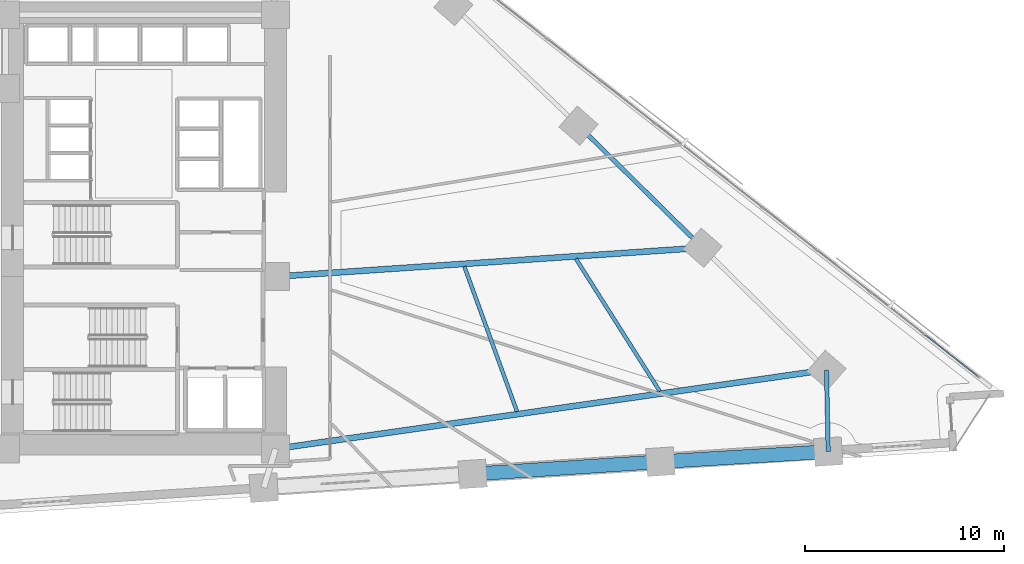
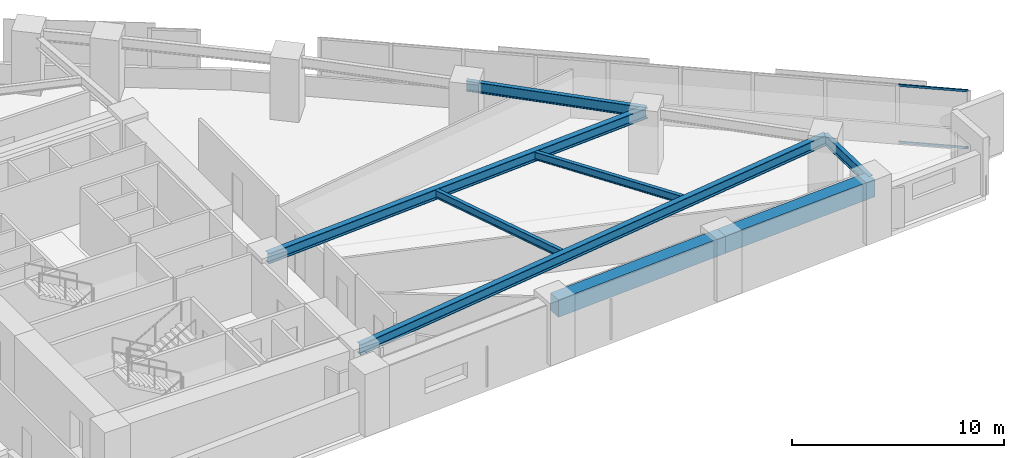
# One storey, part 3 of 15: 8 beams, 2 members, 1 element without a shape of its own.
"""IFC4 building model written with IfcOpenShell, lengths in metres."""

from ifc_helpers import new_model, si_unit, direction, frame, origin, origin_2d, place, context, subcontext, project, spatial, rectangle, hollow_rectangle, i_section, extrude, material, material_profile, profile_set, type_object, element, aggregate, save


model = new_model("IFC4")

# Units and contexts
model_context = context("Model", 3, precision=1e-05, world=origin(), true_north=direction((0.0, 1.0)))
body_context = subcontext(model_context, "Body", "Model", "MODEL_VIEW")
ifc_project = project(units=[si_unit("LENGTHUNIT", "METRE"), si_unit("AREAUNIT", "SQUARE_METRE"), si_unit("VOLUMEUNIT", "CUBIC_METRE"), si_unit("PLANEANGLEUNIT", "RADIAN"), si_unit("MASSUNIT", "GRAM", prefix="KILO")], contexts=[model_context])

# Site, building, storey
site_placement = place(None, origin())
site = spatial("IfcSite", under=ifc_project, at=site_placement, CompositionType="ELEMENT")
building_placement = place(site_placement, origin())
building = spatial("IfcBuilding", under=site, at=building_placement, Name="Narakoshi Arena Tower", CompositionType="ELEMENT")
storey_placement = place(building_placement, frame((0.0, 0.0, 70.5)))
storey = spatial("IfcBuildingStorey", under=building, at=storey_placement, Name="L18", CompositionType="ELEMENT", Elevation=70.5)

# Beams
ifc_material_1 = material(Name="Concrete C60/75", Category="concrete")
ifc_material_profile_1 = material_profile(ifc_material_1, rectangle(XDim=0.699951171875, YDim=1.0, at=origin_2d()), Name="RCB700x1000")
ifc_profile_set_1 = profile_set([ifc_material_profile_1], Name="Concrete C60/75")
beam_type_1 = type_object("IfcBeamType", Name="BM-CPL-1000", PredefinedType="BEAM", material=ifc_profile_set_1)
beam_1_placement = place(storey_placement, frame((95.44189453125, 33.43798828125, 2.840087890625), z_axis=(0.997857667494, 0.065422285367, 0.0), x_axis=(-0.065422285367, 0.997857667494, 0.0)))
element("IfcBeam", 1, at=beam_1_placement, inside=storey, type_object=beam_type_1, Name="L18 Perimeter Edge Girder 02", PredefinedType="BEAM", context=body_context, shape_type="SweptSolid", body=[
    extrude(rectangle(XDim=0.699951171875, YDim=1.0, at=origin_2d()), origin(), (0.0, 0.0, 1.0), 9.456298828125),
])
beam_2_placement = place(storey_placement, frame((104.8779296875, 34.056640625, 2.840087890625), z_axis=(0.998193929855, 0.060073941104, 0.0), x_axis=(-0.060073941104, 0.998193929855, 0.0)))
element("IfcBeam", 2, at=beam_2_placement, inside=storey, type_object=beam_type_1, Name="L18 Perimeter Edge Girder 03", PredefinedType="BEAM", context=body_context, shape_type="SweptSolid", body=[
    extrude(rectangle(XDim=0.699951171875, YDim=1.0, at=origin_2d()), origin(), (0.0, 0.0, 1.0), 8.436767578125),
])
ifc_material_2 = material(Name="Structural steel S355J2", Category="steel")
ifc_material_profile_2 = material_profile(ifc_material_2, i_section(OverallWidth=0.219970703125, OverallDepth=0.60009765625, WebThickness=0.011962890625, FlangeThickness=0.01904296875, FilletRadius=0.02392578125, at=origin_2d()), Name="IPE600")
ifc_profile_set_2 = profile_set([ifc_material_profile_2], Name="Structural steel S355J2")
beam_type_2 = type_object("IfcBeamType", Name="BM-EDGE-600", PredefinedType="BEAM", material=ifc_profile_set_2)
beam_3_placement = place(storey_placement, frame((113.299560546875, 34.5634765625, 3.0400390625), z_axis=(-0.020272933264, 0.99979448297, 0.0), x_axis=(-0.99979448297, -0.020272933264, 0.0)))
element("IfcBeam", 3, at=beam_3_placement, inside=storey, type_object=beam_type_2, Name="L18 Perimeter Edge Girder 04", PredefinedType="BEAM", context=body_context, shape_type="SweptSolid", body=[
    extrude(i_section(OverallWidth=0.219970703125, OverallDepth=0.60009765625, WebThickness=0.011962890625, FlangeThickness=0.01904296875, FilletRadius=0.02392578125, at=origin_2d()), origin(), (0.0, 0.0, 1.0), 4.1064453125),
])
beam_4_placement = place(storey_placement, frame((106.989990234375, 44.800537109375, 3.0400390625), z_axis=(-0.71256144736, 0.701609708981, 0.0), x_axis=(-0.701609708981, -0.71256144736, 0.0)))
element("IfcBeam", 4, at=beam_4_placement, inside=storey, type_object=beam_type_2, Name="L18 Perimeter Edge Girder 06", PredefinedType="BEAM", context=body_context, shape_type="SweptSolid", body=[
    extrude(i_section(OverallWidth=0.219970703125, OverallDepth=0.60009765625, WebThickness=0.011962890625, FlangeThickness=0.01904296875, FilletRadius=0.02392578125, at=origin_2d()), origin(), (0.0, 0.0, 1.0), 8.738525390625),
])
ifc_material_profile_3 = material_profile(ifc_material_2, i_section(OverallWidth=0.300048828125, OverallDepth=0.60009765625, WebThickness=0.015380859375, FlangeThickness=0.030029296875, FilletRadius=0.027099609375, at=origin_2d()), Name="HE600B")
ifc_profile_set_3 = profile_set([ifc_material_profile_3], Name="Structural steel S355J2")
beam_type_3 = type_object("IfcBeamType", Name="BM-PRI-600", PredefinedType="BEAM", material=ifc_profile_set_3)
beam_5_placement = place(storey_placement, frame((85.550048828125, 34.699951171875, 3.0400390625), z_axis=(0.989864586002, 0.142014440741, 0.0), x_axis=(-0.142014440741, 0.989864586002, 0.0)))
element("IfcBeam", 5, at=beam_5_placement, inside=storey, type_object=beam_type_3, Name="L18 Radial Primary Floor Girder 05", PredefinedType="BEAM", context=body_context, shape_type="SweptSolid", body=[
    extrude(i_section(OverallWidth=0.300048828125, OverallDepth=0.60009765625, WebThickness=0.015380859375, FlangeThickness=0.030029296875, FilletRadius=0.027099609375, at=origin_2d()), origin(), (0.0, 0.0, 1.0), 27.949462890625),
])
beam_6_placement = place(storey_placement, frame((85.550048828125, 43.35009765625, 3.0400390625), z_axis=(0.997719477205, 0.067496998498, 0.0), x_axis=(-0.067496998498, 0.997719477205, 0.0)))
element("IfcBeam", 6, at=beam_6_placement, inside=storey, type_object=beam_type_3, Name="L18 Radial Primary Floor Girder 06", PredefinedType="BEAM", context=body_context, shape_type="SweptSolid", body=[
    extrude(i_section(OverallWidth=0.300048828125, OverallDepth=0.60009765625, WebThickness=0.015380859375, FlangeThickness=0.030029296875, FilletRadius=0.027099609375, at=origin_2d()), origin(), (0.0, 0.0, 1.0), 21.489013671875),
])
ifc_material_profile_4 = material_profile(ifc_material_2, i_section(OverallWidth=0.18994140625, OverallDepth=0.449951171875, WebThickness=0.009521484375, FlangeThickness=0.0146484375, FilletRadius=0.02099609375, at=origin_2d()), Name="IPE450")
ifc_profile_set_4 = profile_set([ifc_material_profile_4], Name="Structural steel S355J2")
beam_type_4 = type_object("IfcBeamType", Name="BM-SEC-450", PredefinedType="JOIST", material=ifc_profile_set_4)
beam_7_placement = place(storey_placement, frame((97.677001953125, 36.573486328125, 3.114990234375), z_axis=(-0.341439671646, 0.939903692208, 0.0), x_axis=(-0.939903692208, -0.341439671646, 0.0)))
element("IfcBeam", 7, at=beam_7_placement, inside=storey, type_object=beam_type_4, Name="L18 Composite Secondary Floor Joist 01", PredefinedType="JOIST", context=body_context, shape_type="SweptSolid", body=[
    extrude(i_section(OverallWidth=0.18994140625, OverallDepth=0.449951171875, WebThickness=0.009521484375, FlangeThickness=0.0146484375, FilletRadius=0.02099609375, at=origin_2d()), origin(), (0.0, 0.0, 1.0), 7.75390625),
])
beam_8_placement = place(storey_placement, frame((104.84423828125, 37.592529296875, 3.114990234375), z_axis=(-0.534774912476, 0.844994552046, 0.0), x_axis=(-0.844994552046, -0.534774912476, 0.0)))
element("IfcBeam", 8, at=beam_8_placement, inside=storey, type_object=beam_type_4, Name="L18 Composite Secondary Floor Joist 02", PredefinedType="JOIST", context=body_context, shape_type="SweptSolid", body=[
    extrude(i_section(OverallWidth=0.18994140625, OverallDepth=0.449951171875, WebThickness=0.009521484375, FlangeThickness=0.0146484375, FilletRadius=0.02099609375, at=origin_2d()), origin(), (0.0, 0.0, 1.0), 7.880126953125),
])

# Curtain wall, members
ifc_material_3 = material(Name="Anodised bronze aluminium 6063-T6", Category="aluminium")
curtain_wall_type = type_object("IfcCurtainWallType", Name="CW-HYP-LOW", PredefinedType="NOTDEFINED", material=ifc_material_3)
curtain_wall_placement = place(storey_placement, origin())
curtain_wall = element("IfcCurtainWall", 9, at=curtain_wall_placement, inside=storey, type_object=curtain_wall_type, Name="L18 Folded Hypotenuse Curtain Wall 1-1", PredefinedType="NOTDEFINED")
ifc_material_profile_5 = material_profile(ifc_material_3, hollow_rectangle(XDim=0.06494140625, YDim=0.1298828125, WallThickness=0.00390625, OuterFilletRadius=0.0048828125, at=origin_2d()), Name="TRN130x65x4")
ifc_profile_set_5 = profile_set([ifc_material_profile_5], Name="Anodised bronze aluminium 6063-T6")
member_type = type_object("IfcMemberType", Name="MEM-TRN-130", PredefinedType="USERDEFINED", material=ifc_profile_set_5)
member_1_placement = place(storey_placement, frame((120.802978515625, 38.359130859375, 0.032470703125), z_axis=(-0.787347227026, 0.616509808596, 0.0), x_axis=(-0.616509808596, -0.787347227026, 0.0)))
member_1 = element("IfcMember", 10, at=member_1_placement, type_object=member_type, Name="CW-01 transom 1.1", ObjectType="TRANSOM", PredefinedType="USERDEFINED", context=body_context, shape_type="SweptSolid", body=[
    extrude(hollow_rectangle(XDim=0.06494140625, YDim=0.1298828125, WallThickness=0.00390625, OuterFilletRadius=0.0048828125, at=origin_2d()), origin(), (0.0, 0.0, 1.0), 3.331298828125),
])
member_2_placement = place(storey_placement, frame((120.802978515625, 38.359130859375, 3.3076171875), z_axis=(-0.787347227026, 0.616509808596, 0.0), x_axis=(-0.616509808596, -0.787347227026, 0.0)))
member_2 = element("IfcMember", 11, at=member_2_placement, type_object=member_type, Name="CW-01 transom 1.2", ObjectType="TRANSOM", PredefinedType="USERDEFINED", context=body_context, shape_type="SweptSolid", body=[
    extrude(hollow_rectangle(XDim=0.06494140625, YDim=0.1298828125, WallThickness=0.00390625, OuterFilletRadius=0.0048828125, at=origin_2d()), origin(), (0.0, 0.0, 1.0), 3.331298828125),
])
aggregate(curtain_wall, [member_1, member_2])

save(model, "model.ifc")
